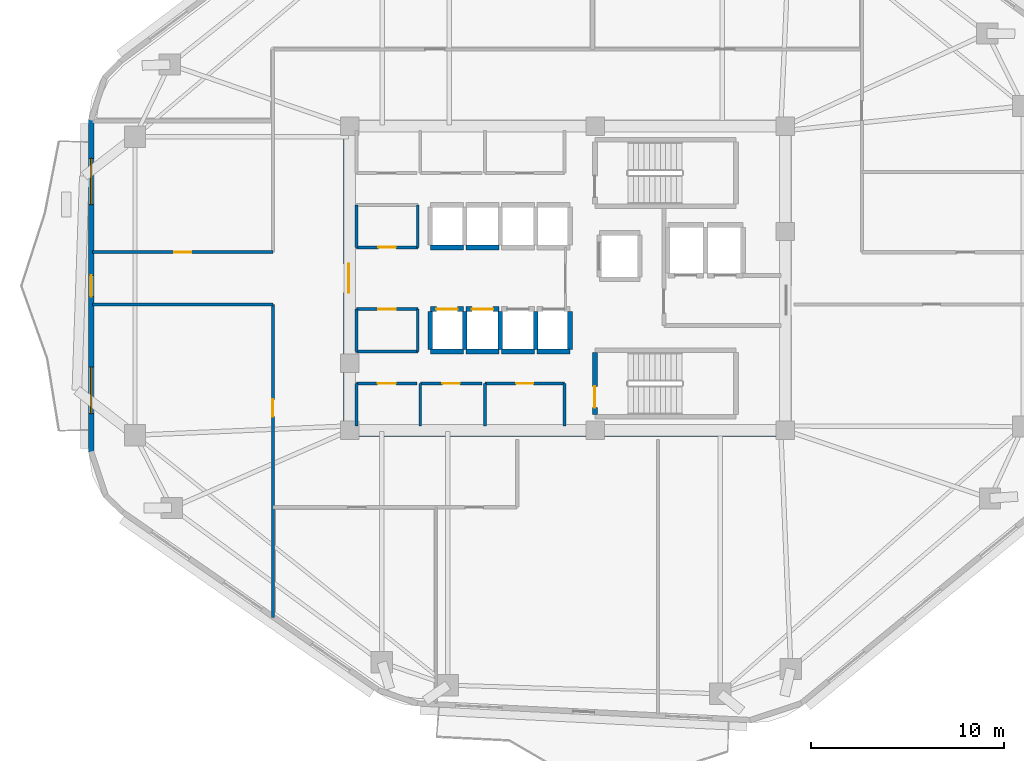
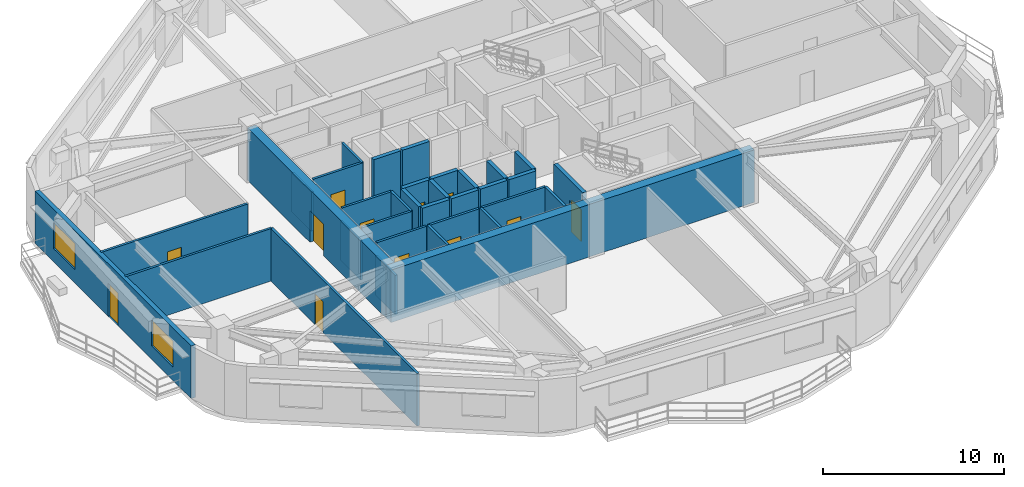
# One storey, part 8 of 14: 34 walls, 12 doors, 2 windows, 14 openings.
"""IFC4 building model written with IfcOpenShell, lengths in metres."""

from ifc_helpers import new_model, si_unit, direction, frame, frame_2d, origin, place, context, subcontext, project, spatial, rectangle, extrude, material, layer, layer_set, type_object, element, fill, save


model = new_model("IFC4")

# Units and contexts
model_context = context("Model", 3, precision=1e-05, world=origin(), true_north=direction((0.0, 1.0)))
body_context = subcontext(model_context, "Body", "Model", "MODEL_VIEW")
ifc_project = project(units=[si_unit("LENGTHUNIT", "METRE"), si_unit("AREAUNIT", "SQUARE_METRE"), si_unit("VOLUMEUNIT", "CUBIC_METRE"), si_unit("PLANEANGLEUNIT", "RADIAN"), si_unit("MASSUNIT", "GRAM", prefix="KILO")], contexts=[model_context])

# Site, building, storey
site_placement = place(None, origin())
site = spatial("IfcSite", under=ifc_project, at=site_placement, CompositionType="ELEMENT")
building_placement = place(site_placement, origin())
building = spatial("IfcBuilding", under=site, at=building_placement, Name="Zulverin Broadcast Headquarters", CompositionType="ELEMENT")
storey_placement = place(building_placement, frame((0.0, 0.0, 147.800048828125)))
storey = spatial("IfcBuildingStorey", under=building, at=storey_placement, Name="L37", CompositionType="ELEMENT", Elevation=147.800048828125)

# Wall
ifc_material_1 = material(Name="Concrete C60/75", Category="concrete")
ifc_layer_1 = layer(ifc_material_1, 0.550048828125, Name="Concrete C60/75", Category="concrete")
ifc_layer_set_1 = layer_set([ifc_layer_1], Name="Concrete C60/75")
wall_type_1 = type_object("IfcWallType", Name="WL-CORE-550", PredefinedType="SHEAR", material=ifc_layer_set_1)
wall_1_placement = place(storey_placement, frame((25.39990234375, 17.27490234375, 0.0), z_axis=(0.0, 0.0, 1.0), x_axis=(1.0, 0.0, 0.0)))
element("IfcWall", 1, at=wall_1_placement, inside=storey, type_object=wall_type_1, Name="L37 Core South Shear Wall", PredefinedType="SHEAR", context=body_context, shape_type="SweptSolid", body=[
    extrude(rectangle(XDim=23.2001953125, YDim=0.550048828125, at=frame_2d((11.60009765625, 0.0))), origin(), (0.0, 0.0, 1.0), 3.5400390625),
])

# Wall, opening, door
wall_2_placement = place(storey_placement, frame((25.675048828125, 17.550048828125, 0.0), z_axis=(0.0, 0.0, 1.0), x_axis=(0.0, 1.0, 0.0)))
wall_2 = element("IfcWall", 2, at=wall_2_placement, inside=storey, type_object=wall_type_1, Name="L37 Core West Shear Wall", PredefinedType="SHEAR", context=body_context, shape_type="SweptSolid", body=[
    extrude(rectangle(XDim=15.300048828125, YDim=0.550048828125, at=frame_2d((7.64990234375, 0.0))), origin(), (0.0, 0.0, 1.0), 3.5400390625),
])
opening_1_placement = place(wall_2_placement, frame((6.89990234375, 0.0, 0.0)))
opening_1 = element("IfcOpeningElement", 3, at=opening_1_placement, cuts=wall_2, Name="Opening D-L37-CW1", PredefinedType="OPENING", context=body_context, shape_type="SweptSolid", body=[
    extrude(rectangle(XDim=1.5, YDim=2.14990234375, at=frame_2d((0.75, 1.074951171875))), frame((0.0, 0.284912109375, 0.0), z_axis=(0.0, -1.0, 0.0), x_axis=(1.0, 0.0, 0.0)), (0.0, 0.0, 1.0), 0.570068359375),
])
ifc_material_2 = material(Name="Fire-rated glazed steel frame", Category="steel")
door_type_1 = type_object("IfcDoorType", Name="DR-COR-1500", OperationType="DOUBLE_DOOR_SINGLE_SWING", PredefinedType="DOOR", material=ifc_material_2)
door_1_placement = place(opening_1_placement, origin())
door_1 = element("IfcDoor", 4, at=door_1_placement, inside=storey, type_object=door_type_1, Name="L37 Central Lift Lobby West Portal Door", OperationType="DOUBLE_DOOR_SINGLE_SWING", OverallHeight=2.14990234375, OverallWidth=1.5, PredefinedType="DOOR", context=body_context, shape_type="SweptSolid", body=[
    extrude(rectangle(XDim=1.5, YDim=2.14990234375, at=frame_2d((0.75, 1.074951171875))), frame((0.0, 0.02490234375, 0.0), z_axis=(0.0, -1.0, 0.0), x_axis=(1.0, 0.0, 0.0)), (0.0, 0.0, 1.0), 0.050048828125),
])
fill(opening_1, door_1)

# Wall, openings, door, windows
ifc_material_3 = material(Name="Insulated pale-metal clad concrete spandrel C40/50", Category="concrete")
ifc_layer_2 = layer(ifc_material_3, 0.280029296875, Name="Insulated pale-metal clad concrete spandrel C40/50", Category="concrete")
ifc_layer_set_2 = layer_set([ifc_layer_2], Name="Insulated pale-metal clad concrete spandrel C40/50")
wall_type_2 = type_object("IfcWallType", Name="WL-EXT-280", PredefinedType="STANDARD", material=ifc_layer_set_2)
wall_3_placement = place(storey_placement, frame((12.340087890625, 33.4189453125, 0.0), z_axis=(0.0, 0.0, 1.0), x_axis=(0.0, -1.0, 0.0)))
wall_3 = element("IfcWall", 5, at=wall_3_placement, inside=storey, type_object=wall_type_2, Name="L37 Pale-Metal Clad Spandrel Wall 7", PredefinedType="STANDARD", context=body_context, shape_type="SweptSolid", body=[
    extrude(rectangle(XDim=17.23193359375, YDim=0.280029296875, at=frame_2d((8.615966796875, 0.0))), origin(), (0.0, 0.0, 1.0), 3.5400390625),
])
opening_2_placement = place(wall_3_placement, frame((8.06591796875, 0.0, 0.0)))
opening_2 = element("IfcOpeningElement", 6, at=opening_2_placement, cuts=wall_3, Name="Opening D-L37-TR7", PredefinedType="OPENING", context=body_context, shape_type="SweptSolid", body=[
    extrude(rectangle(XDim=1.10009765625, YDim=2.199951171875, at=frame_2d((0.550048828125, 1.10009765625))), frame((0.0, 0.14990234375, 0.0), z_axis=(0.0, -1.0, 0.0), x_axis=(1.0, 0.0, 0.0)), (0.0, 0.0, 1.0), 0.300048828125),
])
opening_3_placement = place(wall_3_placement, frame((2.00537109375, 0.0, 0.89990234375)))
opening_3 = element("IfcOpeningElement", 7, at=opening_3_placement, cuts=wall_3, Name="Opening W-L37-E71", PredefinedType="OPENING", context=body_context, shape_type="SweptSolid", body=[
    extrude(rectangle(XDim=2.39990234375, YDim=1.75, at=frame_2d((1.199951171875, 0.875))), frame((0.0, 0.14990234375, 0.0), z_axis=(0.0, -1.0, 0.0), x_axis=(1.0, 0.0, 0.0)), (0.0, 0.0, 1.0), 0.300048828125),
])
opening_4_placement = place(wall_3_placement, frame((12.82666015625, 0.0, 0.89990234375)))
opening_4 = element("IfcOpeningElement", 8, at=opening_4_placement, cuts=wall_3, Name="Opening W-L37-E72", PredefinedType="OPENING", context=body_context, shape_type="SweptSolid", body=[
    extrude(rectangle(XDim=2.39990234375, YDim=1.75, at=frame_2d((1.199951171875, 0.875))), frame((0.0, 0.14990234375, 0.0), z_axis=(0.0, -1.0, 0.0), x_axis=(1.0, 0.0, 0.0)), (0.0, 0.0, 1.0), 0.300048828125),
])
ifc_material_4 = material(Name="Thermally broken aluminium glazed", Category="aluminium")
door_type_2 = type_object("IfcDoorType", Name="DR-TERR-1100", OperationType="SINGLE_SWING_RIGHT", PredefinedType="DOOR", material=ifc_material_4)
door_2_placement = place(opening_2_placement, origin())
door_2 = element("IfcDoor", 9, at=door_2_placement, inside=storey, type_object=door_type_2, Name="L37 Planted Terrace Glazed Access Door 7", OperationType="SINGLE_SWING_RIGHT", OverallHeight=2.199951171875, OverallWidth=1.10009765625, PredefinedType="DOOR", context=body_context, shape_type="SweptSolid", body=[
    extrude(rectangle(XDim=1.10009765625, YDim=2.199951171875, at=frame_2d((0.550048828125, 1.10009765625))), frame((0.0, 0.02490234375, 0.0), z_axis=(0.0, -1.0, 0.0), x_axis=(1.0, 0.0, 0.0)), (0.0, 0.0, 1.0), 0.050048828125),
])
fill(opening_2, door_2)
ifc_material_5 = material(Name="Pale anodized aluminium frame with solar-control low-E double glazing", Category="aluminium")
window_type = type_object("IfcWindowType", Name="WIN-RIB-2400", PartitioningType="SINGLE_PANEL", PredefinedType="WINDOW", material=ifc_material_5)
window_1_placement = place(opening_3_placement, origin())
window_1 = element("IfcWindow", 10, at=window_1_placement, inside=storey, type_object=window_type, Name="L37 Ribbon Glazing Window 7 1", OverallHeight=1.75, OverallWidth=2.39990234375, PartitioningType="SINGLE_PANEL", PredefinedType="WINDOW", context=body_context, shape_type="SweptSolid", body=[
    extrude(rectangle(XDim=2.39990234375, YDim=1.75, at=frame_2d((1.199951171875, 0.875))), frame((0.0, 0.030029296875, 0.0), z_axis=(0.0, -1.0, 0.0), x_axis=(1.0, 0.0, 0.0)), (0.0, 0.0, 1.0), 0.06005859375),
])
fill(opening_3, window_1)
window_2_placement = place(opening_4_placement, origin())
window_2 = element("IfcWindow", 11, at=window_2_placement, inside=storey, type_object=window_type, Name="L37 Ribbon Glazing Window 7 2", OverallHeight=1.75, OverallWidth=2.39990234375, PartitioningType="SINGLE_PANEL", PredefinedType="WINDOW", context=body_context, shape_type="SweptSolid", body=[
    extrude(rectangle(XDim=2.39990234375, YDim=1.75, at=frame_2d((1.199951171875, 0.875))), frame((0.0, 0.030029296875, 0.0), z_axis=(0.0, -1.0, 0.0), x_axis=(1.0, 0.0, 0.0)), (0.0, 0.0, 1.0), 0.06005859375),
])
fill(opening_4, window_2)

# Wall, opening, door
ifc_material_6 = material(Name="Fire-rated gypsum stud partition", Category="gypsum")
ifc_layer_3 = layer(ifc_material_6, 0.14990234375, Name="Fire-rated gypsum stud partition", Category="gypsum")
ifc_layer_set_3 = layer_set([ifc_layer_3], Name="Fire-rated gypsum stud partition")
wall_type_3 = type_object("IfcWallType", Name="WL-PART-150", PredefinedType="PARTITIONING", material=ifc_layer_set_3)
wall_4_placement = place(storey_placement, frame((26.070068359375, 19.75, 0.0), z_axis=(0.0, 0.0, 1.0), x_axis=(1.0, 0.0, 0.0)))
wall_4 = element("IfcWall", 12, at=wall_4_placement, inside=storey, type_object=wall_type_3, Name="L37 Core Female WC Front Wall", PredefinedType="PARTITIONING", context=body_context, shape_type="SweptSolid", body=[
    extrude(rectangle(XDim=3.14990234375, YDim=0.14990234375, at=frame_2d((1.574951171875, 0.0))), origin(), (0.0, 0.0, 1.0), 3.5400390625),
])
opening_5_placement = place(wall_4_placement, frame((1.10009765625, 0.0, 0.0)))
opening_5 = element("IfcOpeningElement", 13, at=opening_5_placement, cuts=wall_4, Name="Opening D-L37-SC1", PredefinedType="OPENING", context=body_context, shape_type="SweptSolid", body=[
    extrude(rectangle(XDim=0.949951171875, YDim=2.10009765625, at=frame_2d((0.47509765625, 1.050048828125))), frame((0.0, 0.0849609375, 0.0), z_axis=(0.0, -1.0, 0.0), x_axis=(1.0, 0.0, 0.0)), (0.0, 0.0, 1.0), 0.169921875),
])
ifc_material_7 = material(Name="Fire-rated moisture-resistant laminate leaf", Category="wood")
door_type_3 = type_object("IfcDoorType", Name="DR-WC-950", OperationType="SINGLE_SWING_LEFT", PredefinedType="DOOR", material=ifc_material_7)
door_3_placement = place(opening_5_placement, origin())
door_3 = element("IfcDoor", 14, at=door_3_placement, inside=storey, type_object=door_type_3, Name="L37 Female WC Door", OperationType="SINGLE_SWING_RIGHT", OverallHeight=2.10009765625, OverallWidth=0.949951171875, PredefinedType="DOOR", context=body_context, shape_type="SweptSolid", body=[
    extrude(rectangle(XDim=0.949951171875, YDim=2.10009765625, at=frame_2d((0.47509765625, 1.050048828125))), frame((0.0, 0.02490234375, 0.0), z_axis=(0.0, -1.0, 0.0), x_axis=(1.0, 0.0, 0.0)), (0.0, 0.0, 1.0), 0.050048828125),
])
fill(opening_5, door_3)

# Wall
wall_5_placement = place(storey_placement, frame((26.070068359375, 17.550048828125, 0.0), z_axis=(0.0, 0.0, 1.0), x_axis=(0.0, 1.0, 0.0)))
element("IfcWall", 15, at=wall_5_placement, inside=storey, type_object=wall_type_3, Name="L37 Core Female WC West Wall", PredefinedType="PARTITIONING", context=body_context, shape_type="SweptSolid", body=[
    extrude(rectangle(XDim=2.199951171875, YDim=0.14990234375, at=frame_2d((1.10009765625, 0.0))), origin(), (0.0, 0.0, 1.0), 2.639892578125),
])

# Wall, opening, door
wall_6_placement = place(storey_placement, frame((29.3798828125, 19.75, 0.0), z_axis=(0.0, 0.0, 1.0), x_axis=(1.0, 0.0, 0.0)))
wall_6 = element("IfcWall", 16, at=wall_6_placement, inside=storey, type_object=wall_type_3, Name="L37 Core Cleaner Store Front Wall", PredefinedType="PARTITIONING", context=body_context, shape_type="SweptSolid", body=[
    extrude(rectangle(XDim=3.190185546875, YDim=0.14990234375, at=frame_2d((1.59521484375, 0.0))), origin(), (0.0, 0.0, 1.0), 3.5400390625),
])
opening_6_placement = place(wall_6_placement, frame((1.14501953125, 0.0, 0.0)))
opening_6 = element("IfcOpeningElement", 17, at=opening_6_placement, cuts=wall_6, Name="Opening D-L37-SC2", PredefinedType="OPENING", context=body_context, shape_type="SweptSolid", body=[
    extrude(rectangle(XDim=0.89990234375, YDim=2.10009765625, at=frame_2d((0.449951171875, 1.050048828125))), frame((0.0, 0.0849609375, 0.0), z_axis=(0.0, -1.0, 0.0), x_axis=(1.0, 0.0, 0.0)), (0.0, 0.0, 1.0), 0.169921875),
])
ifc_material_8 = material(Name="Powder-coated steel access leaf", Category="steel")
door_type_4 = type_object("IfcDoorType", Name="DR-RISER-900", OperationType="SINGLE_SWING_LEFT", PredefinedType="DOOR", material=ifc_material_8)
door_4_placement = place(opening_6_placement, origin())
door_4 = element("IfcDoor", 18, at=door_4_placement, inside=storey, type_object=door_type_4, Name="L37 Cleaner Store Door", OperationType="SINGLE_SWING_LEFT", OverallHeight=2.10009765625, OverallWidth=0.89990234375, PredefinedType="DOOR", context=body_context, shape_type="SweptSolid", body=[
    extrude(rectangle(XDim=0.89990234375, YDim=2.10009765625, at=frame_2d((0.449951171875, 1.050048828125))), frame((0.0, 0.02490234375, 0.0), z_axis=(0.0, -1.0, 0.0), x_axis=(1.0, 0.0, 0.0)), (0.0, 0.0, 1.0), 0.050048828125),
])
fill(opening_6, door_4)

# Wall
wall_7_placement = place(storey_placement, frame((29.3798828125, 17.550048828125, 0.0), z_axis=(0.0, 0.0, 1.0), x_axis=(0.0, 1.0, 0.0)))
element("IfcWall", 19, at=wall_7_placement, inside=storey, type_object=wall_type_3, Name="L37 Core Cleaner Store West Wall", PredefinedType="PARTITIONING", context=body_context, shape_type="SweptSolid", body=[
    extrude(rectangle(XDim=2.199951171875, YDim=0.14990234375, at=frame_2d((1.10009765625, 0.0))), origin(), (0.0, 0.0, 1.0), 3.5400390625),
])

# Wall, opening, door
wall_8_placement = place(storey_placement, frame((32.72998046875, 19.75, 0.0), z_axis=(0.0, 0.0, 1.0), x_axis=(1.0, 0.0, 0.0)))
wall_8 = element("IfcWall", 20, at=wall_8_placement, inside=storey, type_object=wall_type_3, Name="L37 Core Broadcast Fibre Riser Front Wall", PredefinedType="PARTITIONING", context=body_context, shape_type="SweptSolid", body=[
    extrude(rectangle(XDim=4.1201171875, YDim=0.14990234375, at=frame_2d((2.06005859375, 0.0))), origin(), (0.0, 0.0, 1.0), 3.5400390625),
])
opening_7_placement = place(wall_8_placement, frame((1.610107421875, 0.0, 0.0)))
opening_7 = element("IfcOpeningElement", 21, at=opening_7_placement, cuts=wall_8, Name="Opening D-L37-SC3", PredefinedType="OPENING", context=body_context, shape_type="SweptSolid", body=[
    extrude(rectangle(XDim=0.89990234375, YDim=2.10009765625, at=frame_2d((0.449951171875, 1.050048828125))), frame((0.0, 0.0849609375, 0.0), z_axis=(0.0, -1.0, 0.0), x_axis=(1.0, 0.0, 0.0)), (0.0, 0.0, 1.0), 0.169921875),
])
door_5_placement = place(opening_7_placement, origin())
door_5 = element("IfcDoor", 22, at=door_5_placement, inside=storey, type_object=door_type_4, Name="L37 Broadcast Fibre Riser Door", OperationType="SINGLE_SWING_RIGHT", OverallHeight=2.10009765625, OverallWidth=0.89990234375, PredefinedType="DOOR", context=body_context, shape_type="SweptSolid", body=[
    extrude(rectangle(XDim=0.89990234375, YDim=2.10009765625, at=frame_2d((0.449951171875, 1.050048828125))), frame((0.0, 0.02490234375, 0.0), z_axis=(0.0, -1.0, 0.0), x_axis=(1.0, 0.0, 0.0)), (0.0, 0.0, 1.0), 0.050048828125),
])
fill(opening_7, door_5)

# Walls
for number, where, z_axis, x_axis, name in (
    (23, (32.72998046875, 17.550048828125, 0.0), (0.0, 0.0, 1.0), (0.0, 1.0, 0.0), "L37 Core Broadcast Fibre Riser West Wall"),
    (24, (36.85009765625, 17.550048828125, 0.0), (0.0, 0.0, 1.0), (0.0, 1.0, 0.0), "L37 Core Broadcast Fibre Riser East Wall"),
):
    element("IfcWall", number, at=place(storey_placement, frame(where, z_axis=z_axis, x_axis=x_axis)), inside=storey, type_object=wall_type_3, Name=name, PredefinedType="PARTITIONING", context=body_context, shape_type="SweptSolid", body=[
        extrude(rectangle(XDim=2.199951171875, YDim=0.14990234375, at=frame_2d((1.10009765625, 0.0))), origin(), (0.0, 0.0, 1.0), 3.5400390625),
    ])

# Wall, opening, door
wall_9_placement = place(storey_placement, frame((26.070068359375, 26.800048828125, 0.0), z_axis=(0.0, 0.0, 1.0), x_axis=(1.0, 0.0, 0.0)))
wall_9 = element("IfcWall", 25, at=wall_9_placement, inside=storey, type_object=wall_type_3, Name="L37 Core UPS Battery Store S Wall", PredefinedType="PARTITIONING", context=body_context, shape_type="SweptSolid", body=[
    extrude(rectangle(XDim=3.179931640625, YDim=0.14990234375, at=frame_2d((1.58984375, 0.0))), origin(), (0.0, 0.0, 1.0), 3.5400390625),
])
opening_8_placement = place(wall_9_placement, frame((1.139892578125, 0.0, 0.0)))
opening_8 = element("IfcOpeningElement", 26, at=opening_8_placement, cuts=wall_9, Name="Opening D-L37-RCLN", PredefinedType="OPENING", context=body_context, shape_type="SweptSolid", body=[
    extrude(rectangle(XDim=0.89990234375, YDim=2.10009765625, at=frame_2d((0.449951171875, 1.050048828125))), frame((0.0, 0.0849609375, 0.0), z_axis=(0.0, -1.0, 0.0), x_axis=(1.0, 0.0, 0.0)), (0.0, 0.0, 1.0), 0.169921875),
])
door_6_placement = place(opening_8_placement, origin())
door_6 = element("IfcDoor", 27, at=door_6_placement, inside=storey, type_object=door_type_4, Name="L37 Core UPS Battery Store Door", OperationType="SINGLE_SWING_LEFT", OverallHeight=2.10009765625, OverallWidth=0.89990234375, PredefinedType="DOOR", context=body_context, shape_type="SweptSolid", body=[
    extrude(rectangle(XDim=0.89990234375, YDim=2.10009765625, at=frame_2d((0.449951171875, 1.050048828125))), frame((0.0, 0.02490234375, 0.0), z_axis=(0.0, -1.0, 0.0), x_axis=(1.0, 0.0, 0.0)), (0.0, 0.0, 1.0), 0.050048828125),
])
fill(opening_8, door_6)

# Walls
wall_10_placement = place(storey_placement, frame((26.070068359375, 26.800048828125, 0.0), z_axis=(0.0, 0.0, 1.0), x_axis=(0.0, 1.0, 0.0)))
element("IfcWall", 28, at=wall_10_placement, inside=storey, type_object=wall_type_3, Name="L37 Core UPS Battery Store W Wall", PredefinedType="PARTITIONING", context=body_context, shape_type="SweptSolid", body=[
    extrude(rectangle(XDim=2.199951171875, YDim=0.14990234375, at=frame_2d((1.10009765625, 0.0))), origin(), (0.0, 0.0, 1.0), 2.639892578125),
])
wall_11_placement = place(storey_placement, frame((29.25, 26.800048828125, 0.0), z_axis=(0.0, 0.0, 1.0), x_axis=(0.0, 1.0, 0.0)))
element("IfcWall", 29, at=wall_11_placement, inside=storey, type_object=wall_type_3, Name="L37 Core UPS Battery Store E Wall", PredefinedType="PARTITIONING", context=body_context, shape_type="SweptSolid", body=[
    extrude(rectangle(XDim=2.199951171875, YDim=0.14990234375, at=frame_2d((1.10009765625, 0.0))), origin(), (0.0, 0.0, 1.0), 3.5400390625),
])
wall_12_placement = place(storey_placement, frame((26.070068359375, 21.39990234375, 0.0), z_axis=(0.0, 0.0, 1.0), x_axis=(1.0, 0.0, 0.0)))
element("IfcWall", 30, at=wall_12_placement, inside=storey, type_object=wall_type_3, Name="L37 Housekeeping Equipment Store S Wall", PredefinedType="PARTITIONING", context=body_context, shape_type="SweptSolid", body=[
    extrude(rectangle(XDim=3.179931640625, YDim=0.14990234375, at=frame_2d((1.58984375, 0.0))), origin(), (0.0, 0.0, 1.0), 3.5400390625),
])

# Wall, opening, door
wall_13_placement = place(storey_placement, frame((26.070068359375, 23.60009765625, 0.0), z_axis=(0.0, 0.0, 1.0), x_axis=(1.0, 0.0, 0.0)))
wall_13 = element("IfcWall", 31, at=wall_13_placement, inside=storey, type_object=wall_type_3, Name="L37 Housekeeping Equipment Store N Wall", PredefinedType="PARTITIONING", context=body_context, shape_type="SweptSolid", body=[
    extrude(rectangle(XDim=3.179931640625, YDim=0.14990234375, at=frame_2d((1.58984375, 0.0))), origin(), (0.0, 0.0, 1.0), 3.5400390625),
])
opening_9_placement = place(wall_13_placement, frame((1.139892578125, 0.0, 0.0)))
opening_9 = element("IfcOpeningElement", 32, at=opening_9_placement, cuts=wall_13, Name="Opening D-L37-RCLS", PredefinedType="OPENING", context=body_context, shape_type="SweptSolid", body=[
    extrude(rectangle(XDim=0.89990234375, YDim=2.10009765625, at=frame_2d((0.449951171875, 1.050048828125))), frame((0.0, 0.0849609375, 0.0), z_axis=(0.0, -1.0, 0.0), x_axis=(1.0, 0.0, 0.0)), (0.0, 0.0, 1.0), 0.169921875),
])
door_7_placement = place(opening_9_placement, origin())
door_7 = element("IfcDoor", 33, at=door_7_placement, inside=storey, type_object=door_type_4, Name="L37 Housekeeping Equipment Store Door", OperationType="SINGLE_SWING_RIGHT", OverallHeight=2.10009765625, OverallWidth=0.89990234375, PredefinedType="DOOR", context=body_context, shape_type="SweptSolid", body=[
    extrude(rectangle(XDim=0.89990234375, YDim=2.10009765625, at=frame_2d((0.449951171875, 1.050048828125))), frame((0.0, 0.02490234375, 0.0), z_axis=(0.0, -1.0, 0.0), x_axis=(1.0, 0.0, 0.0)), (0.0, 0.0, 1.0), 0.050048828125),
])
fill(opening_9, door_7)

# Walls
wall_14_placement = place(storey_placement, frame((26.070068359375, 21.39990234375, 0.0), z_axis=(0.0, 0.0, 1.0), x_axis=(0.0, 1.0, 0.0)))
element("IfcWall", 34, at=wall_14_placement, inside=storey, type_object=wall_type_3, Name="L37 Housekeeping Equipment Store W Wall", PredefinedType="PARTITIONING", context=body_context, shape_type="SweptSolid", body=[
    extrude(rectangle(XDim=2.2001953125, YDim=0.14990234375, at=frame_2d((1.10009765625, 0.0))), origin(), (0.0, 0.0, 1.0), 2.639892578125),
])
wall_15_placement = place(storey_placement, frame((29.25, 21.39990234375, 0.0), z_axis=(0.0, 0.0, 1.0), x_axis=(0.0, 1.0, 0.0)))
element("IfcWall", 35, at=wall_15_placement, inside=storey, type_object=wall_type_3, Name="L37 Housekeeping Equipment Store E Wall", PredefinedType="PARTITIONING", context=body_context, shape_type="SweptSolid", body=[
    extrude(rectangle(XDim=2.2001953125, YDim=0.14990234375, at=frame_2d((1.10009765625, 0.0))), origin(), (0.0, 0.0, 1.0), 3.5400390625),
])

# Wall, opening, door
wall_16_placement = place(storey_placement, frame((21.75, 7.641357421875, 0.0), z_axis=(0.0, 0.0, 1.0), x_axis=(0.0, 1.0, 0.0)))
wall_16 = element("IfcWall", 36, at=wall_16_placement, inside=storey, type_object=wall_type_3, Name="L37 Gallery Partition Wall CG-06", PredefinedType="PARTITIONING", context=body_context, shape_type="SweptSolid", body=[
    extrude(rectangle(XDim=16.208740234375, YDim=0.14990234375, at=frame_2d((8.1044921875, 0.0))), origin(), (0.0, 0.0, 1.0), 3.5400390625),
])
opening_10_placement = place(wall_16_placement, frame((10.388671875, 0.0, 0.0)))
opening_10 = element("IfcOpeningElement", 37, at=opening_10_placement, cuts=wall_16, Name="Opening D-L37-05", PredefinedType="OPENING", context=body_context, shape_type="SweptSolid", body=[
    extrude(rectangle(XDim=0.89990234375, YDim=2.10009765625, at=frame_2d((0.449951171875, 1.050048828125))), frame((0.0, 0.0849609375, 0.0), z_axis=(0.0, -1.0, 0.0), x_axis=(1.0, 0.0, 0.0)), (0.0, 0.0, 1.0), 0.169921875),
])
ifc_material_9 = material(Name="Fire-rated hardwood veneer timber leaf", Category="wood")
door_type_5 = type_object("IfcDoorType", Name="DR-ROOM-900", OperationType="SINGLE_SWING_RIGHT", PredefinedType="DOOR", material=ifc_material_9)
door_8_placement = place(opening_10_placement, origin())
door_8 = element("IfcDoor", 38, at=door_8_placement, inside=storey, type_object=door_type_5, Name="L37 Sound Exhibition Gallery Door", OperationType="SINGLE_SWING_RIGHT", OverallHeight=2.10009765625, OverallWidth=0.89990234375, PredefinedType="DOOR", context=body_context, shape_type="SweptSolid", body=[
    extrude(rectangle(XDim=0.89990234375, YDim=2.10009765625, at=frame_2d((0.449951171875, 1.050048828125))), frame((0.0, 0.02490234375, 0.0), z_axis=(0.0, -1.0, 0.0), x_axis=(1.0, 0.0, 0.0)), (0.0, 0.0, 1.0), 0.050048828125),
])
fill(opening_10, door_8)

# Wall
wall_17_placement = place(storey_placement, frame((12.405029296875, 23.85009765625, 0.0), z_axis=(0.0, 0.0, 1.0), x_axis=(1.0, 0.0, 0.0)))
element("IfcWall", 39, at=wall_17_placement, inside=storey, type_object=wall_type_3, Name="L37 Gallery Partition Wall CG-09", PredefinedType="PARTITIONING", context=body_context, shape_type="SweptSolid", body=[
    extrude(rectangle(XDim=9.344970703125, YDim=0.14990234375, at=frame_2d((4.67236328125, 0.0))), origin(), (0.0, 0.0, 1.0), 3.5400390625),
])

# Wall, opening, door
wall_18_placement = place(storey_placement, frame((12.405029296875, 26.550048828125, 0.0), z_axis=(0.0, 0.0, 1.0), x_axis=(1.0, 0.0, 0.0)))
wall_18 = element("IfcWall", 40, at=wall_18_placement, inside=storey, type_object=wall_type_3, Name="L37 Gallery Partition Wall CG-11", PredefinedType="PARTITIONING", context=body_context, shape_type="SweptSolid", body=[
    extrude(rectangle(XDim=9.344970703125, YDim=0.14990234375, at=frame_2d((4.67236328125, 0.0))), origin(), (0.0, 0.0, 1.0), 3.5400390625),
])
opening_11_placement = place(wall_18_placement, frame((4.222412109375, 0.0, 0.0)))
opening_11 = element("IfcOpeningElement", 41, at=opening_11_placement, cuts=wall_18, Name="Opening D-L37-06", PredefinedType="OPENING", context=body_context, shape_type="SweptSolid", body=[
    extrude(rectangle(XDim=0.89990234375, YDim=2.10009765625, at=frame_2d((0.449951171875, 1.050048828125))), frame((0.0, 0.0849609375, 0.0), z_axis=(0.0, -1.0, 0.0), x_axis=(1.0, 0.0, 0.0)), (0.0, 0.0, 1.0), 0.169921875),
])
door_9_placement = place(opening_11_placement, origin())
door_9 = element("IfcDoor", 42, at=door_9_placement, inside=storey, type_object=door_type_5, Name="L37 Media Library Door", OperationType="SINGLE_SWING_LEFT", OverallHeight=2.10009765625, OverallWidth=0.89990234375, PredefinedType="DOOR", context=body_context, shape_type="SweptSolid", body=[
    extrude(rectangle(XDim=0.89990234375, YDim=2.10009765625, at=frame_2d((0.449951171875, 1.050048828125))), frame((0.0, 0.02490234375, 0.0), z_axis=(0.0, -1.0, 0.0), x_axis=(1.0, 0.0, 0.0)), (0.0, 0.0, 1.0), 0.050048828125),
])
fill(opening_11, door_9)

ifc_material_10 = material(Name="Concrete C50/60", Category="concrete")
ifc_layer_4 = layer(ifc_material_10, 0.25, Name="Concrete C50/60", Category="concrete")
ifc_layer_set_4 = layer_set([ifc_layer_4], Name="Concrete C50/60")
wall_type_4 = type_object("IfcWallType", Name="WL-SHAFT-250", PredefinedType="SHEAR", material=ifc_layer_set_4)
wall_19_placement = place(storey_placement, frame((38.425048828125, 18.14990234375, 0.0), z_axis=(0.0, 0.0, 1.0), x_axis=(0.0, 1.0, 0.0)))
wall_19 = element("IfcWall", 43, at=wall_19_placement, inside=storey, type_object=wall_type_4, Name="L37 ST-2 Enclosure Wall W", PredefinedType="SHEAR", context=body_context, shape_type="SweptSolid", body=[
    extrude(rectangle(XDim=3.2001953125, YDim=0.25, at=frame_2d((1.60009765625, 0.0))), origin(), (0.0, 0.0, 1.0), 3.5400390625),
])
opening_12_placement = place(wall_19_placement, frame((0.35009765625, 0.0, 0.0)))
opening_12 = element("IfcOpeningElement", 44, at=opening_12_placement, cuts=wall_19, Name="Opening D-L37-ST-2", PredefinedType="OPENING", context=body_context, shape_type="SweptSolid", body=[
    extrude(rectangle(XDim=1.10009765625, YDim=2.14990234375, at=frame_2d((0.550048828125, 1.074951171875))), frame((0.0, 0.135009765625, 0.0), z_axis=(0.0, -1.0, 0.0), x_axis=(1.0, 0.0, 0.0)), (0.0, 0.0, 1.0), 0.27001953125),
])
ifc_material_11 = material(Name="Fire-rated steel leaf and frame", Category="steel")
door_type_6 = type_object("IfcDoorType", Name="DR-STAIR-1100", OperationType="SINGLE_SWING_LEFT", PredefinedType="DOOR", material=ifc_material_11)
door_10_placement = place(opening_12_placement, origin())
door_10 = element("IfcDoor", 45, at=door_10_placement, inside=storey, type_object=door_type_6, Name="L37 Exit Stair ST-2 Fire Door", OperationType="SINGLE_SWING_RIGHT", OverallHeight=2.14990234375, OverallWidth=1.10009765625, PredefinedType="DOOR", context=body_context, shape_type="SweptSolid", body=[
    extrude(rectangle(XDim=1.10009765625, YDim=2.14990234375, at=frame_2d((0.550048828125, 1.074951171875))), frame((0.0, 0.02490234375, 0.0), z_axis=(0.0, -1.0, 0.0), x_axis=(1.0, 0.0, 0.0)), (0.0, 0.0, 1.0), 0.050048828125),
])
fill(opening_12, door_10)

# Wall
wall_20_placement = place(storey_placement, frame((29.89990234375, 21.39990234375, 0.0), z_axis=(0.0, 0.0, 1.0), x_axis=(1.0, 0.0, 0.0)))
element("IfcWall", 46, at=wall_20_placement, inside=storey, type_object=wall_type_4, Name="L37 Lift PL-M1 Shaft Wall S", PredefinedType="SHEAR", context=body_context, shape_type="SweptSolid", body=[
    extrude(rectangle(XDim=1.72021484375, YDim=0.25, at=frame_2d((0.860107421875, 0.0))), origin(), (0.0, 0.0, 1.0), 3.5400390625),
])

# Wall, opening, door
wall_21_placement = place(storey_placement, frame((29.89990234375, 23.60009765625, 0.0), z_axis=(0.0, 0.0, 1.0), x_axis=(1.0, 0.0, 0.0)))
wall_21 = element("IfcWall", 47, at=wall_21_placement, inside=storey, type_object=wall_type_4, Name="L37 Lift PL-M1 Shaft Wall N", PredefinedType="SHEAR", context=body_context, shape_type="SweptSolid", body=[
    extrude(rectangle(XDim=1.72021484375, YDim=0.25, at=frame_2d((0.860107421875, 0.0))), origin(), (0.0, 0.0, 1.0), 3.5400390625),
])
opening_13_placement = place(wall_21_placement, frame((0.31005859375, 0.0, 0.0)))
opening_13 = element("IfcOpeningElement", 48, at=opening_13_placement, cuts=wall_21, Name="Opening LD-PL-M1-L37", PredefinedType="OPENING", context=body_context, shape_type="SweptSolid", body=[
    extrude(rectangle(XDim=1.10009765625, YDim=2.14990234375, at=frame_2d((0.550048828125, 1.074951171875))), frame((0.0, 0.135009765625, 0.0), z_axis=(0.0, -1.0, 0.0), x_axis=(1.0, 0.0, 0.0)), (0.0, 0.0, 1.0), 0.27001953125),
])
ifc_material_12 = material(Name="Brushed stainless steel landing", Category="steel")
door_type_7 = type_object("IfcDoorType", Name="LD-PASS-1100", OperationType="DOUBLE_DOOR_SLIDING", PredefinedType="DOOR", material=ifc_material_12)
door_11_placement = place(opening_13_placement, origin())
door_11 = element("IfcDoor", 49, at=door_11_placement, inside=storey, type_object=door_type_7, Name="L37 Lift PL-M1 Sliding Landing Door", OperationType="DOUBLE_DOOR_SLIDING", OverallHeight=2.14990234375, OverallWidth=1.10009765625, PredefinedType="DOOR", context=body_context, shape_type="SweptSolid", body=[
    extrude(rectangle(XDim=1.10009765625, YDim=2.14990234375, at=frame_2d((0.550048828125, 1.074951171875))), frame((0.0, 0.02490234375, 0.0), z_axis=(0.0, -1.0, 0.0), x_axis=(1.0, 0.0, 0.0)), (0.0, 0.0, 1.0), 0.050048828125),
])
fill(opening_13, door_11)

# Walls
for number, where, z_axis, x_axis, name in (
    (50, (29.89990234375, 21.52001953125, 0.0), (0.0, 0.0, 1.0), (0.0, 1.0, 0.0), "L37 Lift PL-M1 Shaft Wall W"),
    (51, (31.679931640625, 21.52001953125, 0.0), (0.0, 0.0, 1.0), (0.0, 1.0, 0.0), "L37 Lift PL-M1 Shaft Wall E"),
):
    element("IfcWall", number, at=place(storey_placement, frame(where, z_axis=z_axis, x_axis=x_axis)), inside=storey, type_object=wall_type_4, Name=name, PredefinedType="SHEAR", context=body_context, shape_type="SweptSolid", body=[
        extrude(rectangle(XDim=1.9599609375, YDim=0.25, at=frame_2d((0.97998046875, 0.0))), origin(), (0.0, 0.0, 1.0), 3.5400390625),
    ])
wall_22_placement = place(storey_placement, frame((31.739990234375, 21.39990234375, 0.0), z_axis=(0.0, 0.0, 1.0), x_axis=(1.0, 0.0, 0.0)))
element("IfcWall", 52, at=wall_22_placement, inside=storey, type_object=wall_type_4, Name="L37 Lift PL-M2 Shaft Wall S", PredefinedType="SHEAR", context=body_context, shape_type="SweptSolid", body=[
    extrude(rectangle(XDim=1.719970703125, YDim=0.25, at=frame_2d((0.85986328125, 0.0))), origin(), (0.0, 0.0, 1.0), 3.5400390625),
])

# Wall, opening, door
wall_23_placement = place(storey_placement, frame((31.739990234375, 23.60009765625, 0.0), z_axis=(0.0, 0.0, 1.0), x_axis=(1.0, 0.0, 0.0)))
wall_23 = element("IfcWall", 53, at=wall_23_placement, inside=storey, type_object=wall_type_4, Name="L37 Lift PL-M2 Shaft Wall N", PredefinedType="SHEAR", context=body_context, shape_type="SweptSolid", body=[
    extrude(rectangle(XDim=1.719970703125, YDim=0.25, at=frame_2d((0.85986328125, 0.0))), origin(), (0.0, 0.0, 1.0), 3.5400390625),
])
opening_14_placement = place(wall_23_placement, frame((0.31005859375, 0.0, 0.0)))
opening_14 = element("IfcOpeningElement", 54, at=opening_14_placement, cuts=wall_23, Name="Opening LD-PL-M2-L37", PredefinedType="OPENING", context=body_context, shape_type="SweptSolid", body=[
    extrude(rectangle(XDim=1.10009765625, YDim=2.14990234375, at=frame_2d((0.550048828125, 1.074951171875))), frame((0.0, 0.135009765625, 0.0), z_axis=(0.0, -1.0, 0.0), x_axis=(1.0, 0.0, 0.0)), (0.0, 0.0, 1.0), 0.27001953125),
])
door_12_placement = place(opening_14_placement, origin())
door_12 = element("IfcDoor", 55, at=door_12_placement, inside=storey, type_object=door_type_7, Name="L37 Lift PL-M2 Sliding Landing Door", OperationType="DOUBLE_DOOR_SLIDING", OverallHeight=2.14990234375, OverallWidth=1.10009765625, PredefinedType="DOOR", context=body_context, shape_type="SweptSolid", body=[
    extrude(rectangle(XDim=1.10009765625, YDim=2.14990234375, at=frame_2d((0.550048828125, 1.074951171875))), frame((0.0, 0.02490234375, 0.0), z_axis=(0.0, -1.0, 0.0), x_axis=(1.0, 0.0, 0.0)), (0.0, 0.0, 1.0), 0.050048828125),
])
fill(opening_14, door_12)

# Walls
wall_24_placement = place(storey_placement, frame((33.52001953125, 21.52001953125, 0.0), z_axis=(0.0, 0.0, 1.0), x_axis=(0.0, 1.0, 0.0)))
element("IfcWall", 56, at=wall_24_placement, inside=storey, type_object=wall_type_4, Name="L37 Lift PL-M2 Shaft Wall E", PredefinedType="SHEAR", context=body_context, shape_type="SweptSolid", body=[
    extrude(rectangle(XDim=1.9599609375, YDim=0.25, at=frame_2d((0.97998046875, 0.0))), origin(), (0.0, 0.0, 1.0), 3.5400390625),
])
wall_25_placement = place(storey_placement, frame((33.580078125, 21.39990234375, 0.0), z_axis=(0.0, 0.0, 1.0), x_axis=(1.0, 0.0, 0.0)))
element("IfcWall", 57, at=wall_25_placement, inside=storey, type_object=wall_type_4, Name="L37 Lift PL-M3 Shaft Wall S", PredefinedType="SHEAR", context=body_context, shape_type="SweptSolid", body=[
    extrude(rectangle(XDim=1.719970703125, YDim=0.25, at=frame_2d((0.85986328125, 0.0))), origin(), (0.0, 0.0, 1.0), 3.5400390625),
])
wall_26_placement = place(storey_placement, frame((35.360107421875, 21.52001953125, 0.0), z_axis=(0.0, 0.0, 1.0), x_axis=(0.0, 1.0, 0.0)))
element("IfcWall", 58, at=wall_26_placement, inside=storey, type_object=wall_type_4, Name="L37 Lift PL-M3 Shaft Wall E", PredefinedType="SHEAR", context=body_context, shape_type="SweptSolid", body=[
    extrude(rectangle(XDim=1.9599609375, YDim=0.25, at=frame_2d((0.97998046875, 0.0))), origin(), (0.0, 0.0, 1.0), 3.5400390625),
])
wall_27_placement = place(storey_placement, frame((35.419921875, 21.39990234375, 0.0), z_axis=(0.0, 0.0, 1.0), x_axis=(1.0, 0.0, 0.0)))
element("IfcWall", 59, at=wall_27_placement, inside=storey, type_object=wall_type_4, Name="L37 Lift PL-M4 Shaft Wall S", PredefinedType="SHEAR", context=body_context, shape_type="SweptSolid", body=[
    extrude(rectangle(XDim=1.719970703125, YDim=0.25, at=frame_2d((0.85986328125, 0.0))), origin(), (0.0, 0.0, 1.0), 3.5400390625),
])
wall_28_placement = place(storey_placement, frame((37.139892578125, 21.52001953125, 0.0), z_axis=(0.0, 0.0, 1.0), x_axis=(0.0, 1.0, 0.0)))
element("IfcWall", 60, at=wall_28_placement, inside=storey, type_object=wall_type_4, Name="L37 Lift PL-M4 Shaft Wall E", PredefinedType="SHEAR", context=body_context, shape_type="SweptSolid", body=[
    extrude(rectangle(XDim=1.9599609375, YDim=0.25, at=frame_2d((0.97998046875, 0.0))), origin(), (0.0, 0.0, 1.0), 3.5400390625),
])
wall_29_placement = place(storey_placement, frame((29.89990234375, 26.800048828125, 0.0), z_axis=(0.0, 0.0, 1.0), x_axis=(1.0, 0.0, 0.0)))
element("IfcWall", 61, at=wall_29_placement, inside=storey, type_object=wall_type_4, Name="L37 Lift PL-H1 Shaft Wall S", PredefinedType="SHEAR", context=body_context, shape_type="SweptSolid", body=[
    extrude(rectangle(XDim=1.72021484375, YDim=0.25, at=frame_2d((0.860107421875, 0.0))), origin(), (0.0, 0.0, 1.0), 3.5400390625),
])
wall_30_placement = place(storey_placement, frame((31.739990234375, 26.800048828125, 0.0), z_axis=(0.0, 0.0, 1.0), x_axis=(1.0, 0.0, 0.0)))
element("IfcWall", 62, at=wall_30_placement, inside=storey, type_object=wall_type_4, Name="L37 Lift PL-H2 Shaft Wall S", PredefinedType="SHEAR", context=body_context, shape_type="SweptSolid", body=[
    extrude(rectangle(XDim=1.719970703125, YDim=0.25, at=frame_2d((0.85986328125, 0.0))), origin(), (0.0, 0.0, 1.0), 3.5400390625),
])

save(model, "model.ifc")
